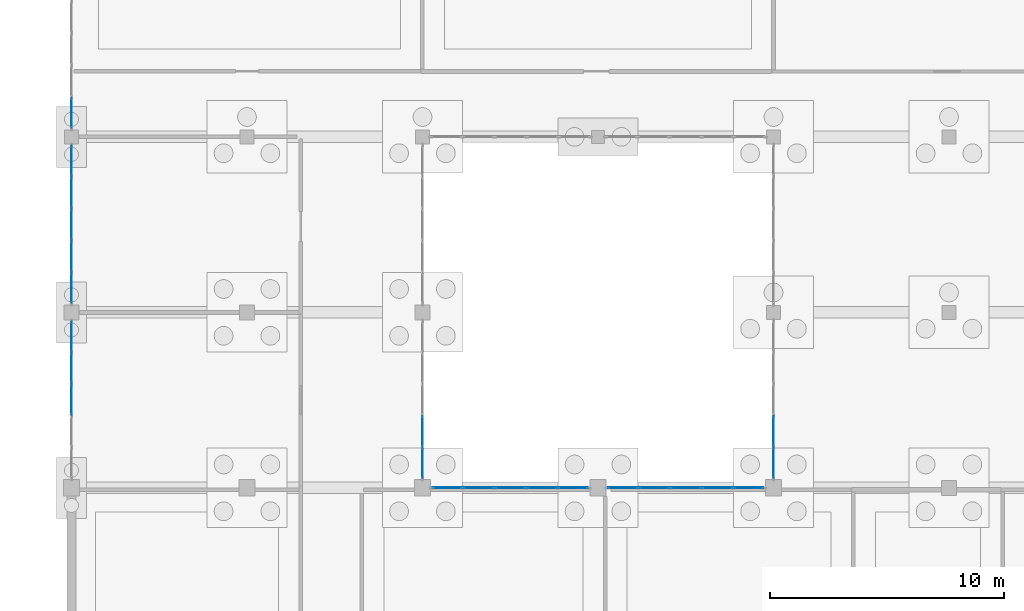
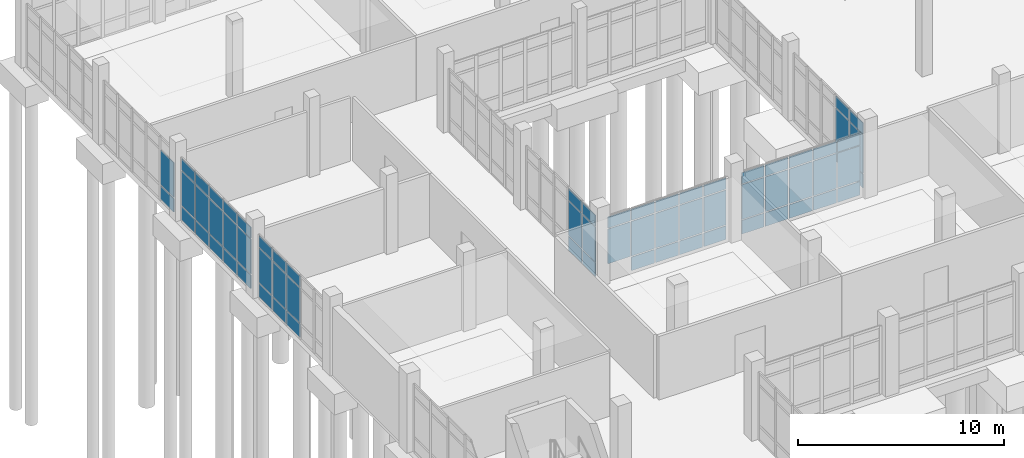
# One storey, part 127 of 173: 67 plates, 7 elements without a shape of their own.
"""IFC4 building model written with IfcOpenShell, lengths in metres."""

from ifc_helpers import new_model, si_unit, direction, frame, origin, origin_2d, place, context, subcontext, project, spatial, rectangle, extrude, material, layer, layer_set, type_object, element, aggregate, save


model = new_model("IFC4")

# Units and contexts
model_context = context("Model", 3, precision=1e-05, world=origin(), true_north=direction((0.0, 1.0)))
body_context = subcontext(model_context, "Body", "Model", "MODEL_VIEW")
ifc_project = project(units=[si_unit("LENGTHUNIT", "METRE"), si_unit("AREAUNIT", "SQUARE_METRE"), si_unit("VOLUMEUNIT", "CUBIC_METRE"), si_unit("PLANEANGLEUNIT", "RADIAN"), si_unit("MASSUNIT", "GRAM", prefix="KILO")], contexts=[model_context])

# Site, building, storey
site_placement = place(None, origin())
site = spatial("IfcSite", under=ifc_project, at=site_placement, CompositionType="ELEMENT")
building_placement = place(site_placement, origin())
building = spatial("IfcBuilding", under=site, at=building_placement, Name="Mawjan Specialist Oncology Clinic", CompositionType="ELEMENT")
storey_placement = place(building_placement, origin())
storey = spatial("IfcBuildingStorey", under=building, at=storey_placement, Name="L00", CompositionType="ELEMENT", Elevation=0.0)

# Curtain wall, plates
ifc_material_1 = material(Name="Unitised spectrally selective aluminium curtain wall", Category="aluminium")
ifc_layer_1 = layer(ifc_material_1, 0.179931640625, Name="Unitised spectrally selective aluminium curtain wall", Category="aluminium")
ifc_layer_set_1 = layer_set([ifc_layer_1], Name="Unitised spectrally selective aluminium curtain wall")
curtain_wall_type_1 = type_object("IfcCurtainWallType", Name="CW-03", PredefinedType="NOTDEFINED", material=ifc_layer_set_1)
curtain_wall_1_placement = place(storey_placement, origin())
curtain_wall_1 = element("IfcCurtainWall", 1, at=curtain_wall_1_placement, inside=storey, type_object=curtain_wall_type_1, Name="L00 Unitised Curtain Wall CW-L00-005", PredefinedType="NOTDEFINED")
ifc_material_2 = material(Name="Spectrally selective double low-E glazing", Category="glass")
ifc_layer_2 = layer(ifc_material_2, 0.035888671875, Name="Spectrally selective double low-E glazing", Category="glass")
ifc_layer_set_2 = layer_set([ifc_layer_2], Name="Spectrally selective double low-E glazing")
plate_type = type_object("IfcPlateType", Name="CW-P36", PredefinedType="CURTAIN_PANEL", material=ifc_layer_set_2)
plate_1_placement = place(storey_placement, frame((0.0, 49.5625, 0.06494140625), z_axis=(0.0, 0.0, 1.0), x_axis=(0.0, 1.0, 0.0)))
plate_1 = element("IfcPlate", 2, at=plate_1_placement, type_object=plate_type, Name="CW-03 panel 3.1", PredefinedType="CURTAIN_PANEL", context=body_context, shape_type="SweptSolid", body=[
    extrude(rectangle(XDim=1.2919921875, YDim=0.035888671875, at=origin_2d()), origin(), (0.0, 0.0, 1.0), 0.802490234375),
])
plate_2_placement = place(storey_placement, frame((0.0, 49.5625, 0.9326171875), z_axis=(0.0, 0.0, 1.0), x_axis=(0.0, 1.0, 0.0)))
plate_2 = element("IfcPlate", 3, at=plate_2_placement, type_object=plate_type, Name="CW-03 panel 3.2", PredefinedType="CURTAIN_PANEL", context=body_context, shape_type="SweptSolid", body=[
    extrude(rectangle(XDim=1.2919921875, YDim=0.035888671875, at=origin_2d()), origin(), (0.0, 0.0, 1.0), 2.050048828125),
])
plate_3_placement = place(storey_placement, frame((0.0, 49.5625, 3.04736328125), z_axis=(0.0, 0.0, 1.0), x_axis=(0.0, 1.0, 0.0)))
plate_3 = element("IfcPlate", 4, at=plate_3_placement, type_object=plate_type, Name="CW-03 panel 3.3", PredefinedType="CURTAIN_PANEL", context=body_context, shape_type="SweptSolid", body=[
    extrude(rectangle(XDim=1.2919921875, YDim=0.035888671875, at=origin_2d()), origin(), (0.0, 0.0, 1.0), 0.652587890625),
])
plate_4_placement = place(storey_placement, frame((0.0, 50.91943359375, 0.06494140625), z_axis=(0.0, 0.0, 1.0), x_axis=(0.0, 1.0, 0.0)))
plate_4 = element("IfcPlate", 5, at=plate_4_placement, type_object=plate_type, Name="CW-03 panel 4.1", PredefinedType="CURTAIN_PANEL", context=body_context, shape_type="SweptSolid", body=[
    extrude(rectangle(XDim=1.2919921875, YDim=0.035888671875, at=origin_2d()), origin(), (0.0, 0.0, 1.0), 0.802490234375),
])
plate_5_placement = place(storey_placement, frame((0.0, 50.91943359375, 0.9326171875), z_axis=(0.0, 0.0, 1.0), x_axis=(0.0, 1.0, 0.0)))
plate_5 = element("IfcPlate", 6, at=plate_5_placement, type_object=plate_type, Name="CW-03 panel 4.2", PredefinedType="CURTAIN_PANEL", context=body_context, shape_type="SweptSolid", body=[
    extrude(rectangle(XDim=1.2919921875, YDim=0.035888671875, at=origin_2d()), origin(), (0.0, 0.0, 1.0), 2.050048828125),
])
plate_6_placement = place(storey_placement, frame((0.0, 50.91943359375, 3.04736328125), z_axis=(0.0, 0.0, 1.0), x_axis=(0.0, 1.0, 0.0)))
plate_6 = element("IfcPlate", 7, at=plate_6_placement, type_object=plate_type, Name="CW-03 panel 4.3", PredefinedType="CURTAIN_PANEL", context=body_context, shape_type="SweptSolid", body=[
    extrude(rectangle(XDim=1.2919921875, YDim=0.035888671875, at=origin_2d()), origin(), (0.0, 0.0, 1.0), 0.652587890625),
])
plate_7_placement = place(storey_placement, frame((0.0, 52.26025390625, 0.06494140625), z_axis=(0.0, 0.0, 1.0), x_axis=(0.0, 1.0, 0.0)))
plate_7 = element("IfcPlate", 8, at=plate_7_placement, type_object=plate_type, Name="CW-03 panel 5.1", PredefinedType="CURTAIN_PANEL", context=body_context, shape_type="SweptSolid", body=[
    extrude(rectangle(XDim=1.259521484375, YDim=0.035888671875, at=origin_2d()), origin(), (0.0, 0.0, 1.0), 0.802490234375),
])
plate_8_placement = place(storey_placement, frame((0.0, 52.26025390625, 0.9326171875), z_axis=(0.0, 0.0, 1.0), x_axis=(0.0, 1.0, 0.0)))
plate_8 = element("IfcPlate", 9, at=plate_8_placement, type_object=plate_type, Name="CW-03 panel 5.2", PredefinedType="CURTAIN_PANEL", context=body_context, shape_type="SweptSolid", body=[
    extrude(rectangle(XDim=1.259521484375, YDim=0.035888671875, at=origin_2d()), origin(), (0.0, 0.0, 1.0), 2.050048828125),
])
plate_9_placement = place(storey_placement, frame((0.0, 52.26025390625, 3.04736328125), z_axis=(0.0, 0.0, 1.0), x_axis=(0.0, 1.0, 0.0)))
plate_9 = element("IfcPlate", 10, at=plate_9_placement, type_object=plate_type, Name="CW-03 panel 5.3", PredefinedType="CURTAIN_PANEL", context=body_context, shape_type="SweptSolid", body=[
    extrude(rectangle(XDim=1.259521484375, YDim=0.035888671875, at=origin_2d()), origin(), (0.0, 0.0, 1.0), 0.652587890625),
])
aggregate(curtain_wall_1, [plate_1, plate_2, plate_3, plate_4, plate_5, plate_6, plate_7, plate_8, plate_9])

ifc_material_3 = material(Name="Unitised spectrally selective aluminium curtain wall", Category="aluminium")
ifc_layer_3 = layer(ifc_material_3, 0.179931640625, Name="Unitised spectrally selective aluminium curtain wall", Category="aluminium")
ifc_layer_set_3 = layer_set([ifc_layer_3], Name="Unitised spectrally selective aluminium curtain wall")
curtain_wall_type_2 = type_object("IfcCurtainWallType", Name="CW-04", PredefinedType="NOTDEFINED", material=ifc_layer_set_3)
curtain_wall_2_placement = place(storey_placement, origin())
curtain_wall_2 = element("IfcCurtainWall", 11, at=curtain_wall_2_placement, inside=storey, type_object=curtain_wall_type_2, Name="L00 Unitised Curtain Wall CW-L00-006", PredefinedType="NOTDEFINED")
plate_10_placement = place(storey_placement, frame((0.0, 54.3447265625, 0.06494140625), z_axis=(0.0, 0.0, 1.0), x_axis=(0.0, 1.0, 0.0)))
plate_10 = element("IfcPlate", 12, at=plate_10_placement, type_object=plate_type, Name="CW-04 panel 1.1", PredefinedType="CURTAIN_PANEL", context=body_context, shape_type="SweptSolid", body=[
    extrude(rectangle(XDim=1.26953125, YDim=0.035888671875, at=origin_2d()), origin(), (0.0, 0.0, 1.0), 0.802490234375),
])
plate_11_placement = place(storey_placement, frame((0.0, 54.3447265625, 0.9326171875), z_axis=(0.0, 0.0, 1.0), x_axis=(0.0, 1.0, 0.0)))
plate_11 = element("IfcPlate", 13, at=plate_11_placement, type_object=plate_type, Name="CW-04 panel 1.2", PredefinedType="CURTAIN_PANEL", context=body_context, shape_type="SweptSolid", body=[
    extrude(rectangle(XDim=1.26953125, YDim=0.035888671875, at=origin_2d()), origin(), (0.0, 0.0, 1.0), 2.050048828125),
])
plate_12_placement = place(storey_placement, frame((0.0, 54.3447265625, 3.04736328125), z_axis=(0.0, 0.0, 1.0), x_axis=(0.0, 1.0, 0.0)))
plate_12 = element("IfcPlate", 14, at=plate_12_placement, type_object=plate_type, Name="CW-04 panel 1.3", PredefinedType="CURTAIN_PANEL", context=body_context, shape_type="SweptSolid", body=[
    extrude(rectangle(XDim=1.26953125, YDim=0.035888671875, at=origin_2d()), origin(), (0.0, 0.0, 1.0), 0.652587890625),
])
plate_13_placement = place(storey_placement, frame((0.0, 55.695556640625, 0.06494140625), z_axis=(0.0, 0.0, 1.0), x_axis=(0.0, 1.0, 0.0)))
plate_13 = element("IfcPlate", 15, at=plate_13_placement, type_object=plate_type, Name="CW-04 panel 2.1", PredefinedType="CURTAIN_PANEL", context=body_context, shape_type="SweptSolid", body=[
    extrude(rectangle(XDim=1.302001953125, YDim=0.035888671875, at=origin_2d()), origin(), (0.0, 0.0, 1.0), 0.802490234375),
])
plate_14_placement = place(storey_placement, frame((0.0, 55.695556640625, 0.9326171875), z_axis=(0.0, 0.0, 1.0), x_axis=(0.0, 1.0, 0.0)))
plate_14 = element("IfcPlate", 16, at=plate_14_placement, type_object=plate_type, Name="CW-04 panel 2.2", PredefinedType="CURTAIN_PANEL", context=body_context, shape_type="SweptSolid", body=[
    extrude(rectangle(XDim=1.302001953125, YDim=0.035888671875, at=origin_2d()), origin(), (0.0, 0.0, 1.0), 2.050048828125),
])
plate_15_placement = place(storey_placement, frame((0.0, 55.695556640625, 3.04736328125), z_axis=(0.0, 0.0, 1.0), x_axis=(0.0, 1.0, 0.0)))
plate_15 = element("IfcPlate", 17, at=plate_15_placement, type_object=plate_type, Name="CW-04 panel 2.3", PredefinedType="CURTAIN_PANEL", context=body_context, shape_type="SweptSolid", body=[
    extrude(rectangle(XDim=1.302001953125, YDim=0.035888671875, at=origin_2d()), origin(), (0.0, 0.0, 1.0), 0.652587890625),
])
plate_16_placement = place(storey_placement, frame((0.0, 57.0625, 0.06494140625), z_axis=(0.0, 0.0, 1.0), x_axis=(0.0, 1.0, 0.0)))
plate_16 = element("IfcPlate", 18, at=plate_16_placement, type_object=plate_type, Name="CW-04 panel 3.1", PredefinedType="CURTAIN_PANEL", context=body_context, shape_type="SweptSolid", body=[
    extrude(rectangle(XDim=1.302001953125, YDim=0.035888671875, at=origin_2d()), origin(), (0.0, 0.0, 1.0), 0.802490234375),
])
plate_17_placement = place(storey_placement, frame((0.0, 57.0625, 0.9326171875), z_axis=(0.0, 0.0, 1.0), x_axis=(0.0, 1.0, 0.0)))
plate_17 = element("IfcPlate", 19, at=plate_17_placement, type_object=plate_type, Name="CW-04 panel 3.2", PredefinedType="CURTAIN_PANEL", context=body_context, shape_type="SweptSolid", body=[
    extrude(rectangle(XDim=1.302001953125, YDim=0.035888671875, at=origin_2d()), origin(), (0.0, 0.0, 1.0), 2.050048828125),
])
plate_18_placement = place(storey_placement, frame((0.0, 57.0625, 3.04736328125), z_axis=(0.0, 0.0, 1.0), x_axis=(0.0, 1.0, 0.0)))
plate_18 = element("IfcPlate", 20, at=plate_18_placement, type_object=plate_type, Name="CW-04 panel 3.3", PredefinedType="CURTAIN_PANEL", context=body_context, shape_type="SweptSolid", body=[
    extrude(rectangle(XDim=1.302001953125, YDim=0.035888671875, at=origin_2d()), origin(), (0.0, 0.0, 1.0), 0.652587890625),
])
plate_19_placement = place(storey_placement, frame((0.0, 58.429443359375, 0.06494140625), z_axis=(0.0, 0.0, 1.0), x_axis=(0.0, 1.0, 0.0)))
plate_19 = element("IfcPlate", 21, at=plate_19_placement, type_object=plate_type, Name="CW-04 panel 4.1", PredefinedType="CURTAIN_PANEL", context=body_context, shape_type="SweptSolid", body=[
    extrude(rectangle(XDim=1.302001953125, YDim=0.035888671875, at=origin_2d()), origin(), (0.0, 0.0, 1.0), 0.802490234375),
])
plate_20_placement = place(storey_placement, frame((0.0, 58.429443359375, 0.9326171875), z_axis=(0.0, 0.0, 1.0), x_axis=(0.0, 1.0, 0.0)))
plate_20 = element("IfcPlate", 22, at=plate_20_placement, type_object=plate_type, Name="CW-04 panel 4.2", PredefinedType="CURTAIN_PANEL", context=body_context, shape_type="SweptSolid", body=[
    extrude(rectangle(XDim=1.302001953125, YDim=0.035888671875, at=origin_2d()), origin(), (0.0, 0.0, 1.0), 2.050048828125),
])
plate_21_placement = place(storey_placement, frame((0.0, 58.429443359375, 3.04736328125), z_axis=(0.0, 0.0, 1.0), x_axis=(0.0, 1.0, 0.0)))
plate_21 = element("IfcPlate", 23, at=plate_21_placement, type_object=plate_type, Name="CW-04 panel 4.3", PredefinedType="CURTAIN_PANEL", context=body_context, shape_type="SweptSolid", body=[
    extrude(rectangle(XDim=1.302001953125, YDim=0.035888671875, at=origin_2d()), origin(), (0.0, 0.0, 1.0), 0.652587890625),
])
plate_22_placement = place(storey_placement, frame((0.0, 59.7802734375, 0.06494140625), z_axis=(0.0, 0.0, 1.0), x_axis=(0.0, 1.0, 0.0)))
plate_22 = element("IfcPlate", 24, at=plate_22_placement, type_object=plate_type, Name="CW-04 panel 5.1", PredefinedType="CURTAIN_PANEL", context=body_context, shape_type="SweptSolid", body=[
    extrude(rectangle(XDim=1.26953125, YDim=0.035888671875, at=origin_2d()), origin(), (0.0, 0.0, 1.0), 0.802490234375),
])
plate_23_placement = place(storey_placement, frame((0.0, 59.7802734375, 0.9326171875), z_axis=(0.0, 0.0, 1.0), x_axis=(0.0, 1.0, 0.0)))
plate_23 = element("IfcPlate", 25, at=plate_23_placement, type_object=plate_type, Name="CW-04 panel 5.2", PredefinedType="CURTAIN_PANEL", context=body_context, shape_type="SweptSolid", body=[
    extrude(rectangle(XDim=1.26953125, YDim=0.035888671875, at=origin_2d()), origin(), (0.0, 0.0, 1.0), 2.050048828125),
])
plate_24_placement = place(storey_placement, frame((0.0, 59.7802734375, 3.04736328125), z_axis=(0.0, 0.0, 1.0), x_axis=(0.0, 1.0, 0.0)))
plate_24 = element("IfcPlate", 26, at=plate_24_placement, type_object=plate_type, Name="CW-04 panel 5.3", PredefinedType="CURTAIN_PANEL", context=body_context, shape_type="SweptSolid", body=[
    extrude(rectangle(XDim=1.26953125, YDim=0.035888671875, at=origin_2d()), origin(), (0.0, 0.0, 1.0), 0.652587890625),
])
aggregate(curtain_wall_2, [plate_10, plate_11, plate_12, plate_13, plate_14, plate_15, plate_16, plate_17, plate_18, plate_19, plate_20, plate_21, plate_22, plate_23, plate_24])

ifc_material_4 = material(Name="Unitised spectrally selective aluminium curtain wall", Category="aluminium")
ifc_layer_4 = layer(ifc_material_4, 0.179931640625, Name="Unitised spectrally selective aluminium curtain wall", Category="aluminium")
ifc_layer_set_4 = layer_set([ifc_layer_4], Name="Unitised spectrally selective aluminium curtain wall")
curtain_wall_type_3 = type_object("IfcCurtainWallType", Name="CW-05", PredefinedType="NOTDEFINED", material=ifc_layer_set_4)
curtain_wall_3_placement = place(storey_placement, origin())
curtain_wall_3 = element("IfcCurtainWall", 27, at=curtain_wall_3_placement, inside=storey, type_object=curtain_wall_type_3, Name="L00 Unitised Curtain Wall CW-L00-007", PredefinedType="NOTDEFINED")
plate_25_placement = place(storey_placement, frame((0.0, 61.822265625, 0.06494140625), z_axis=(0.0, 0.0, 1.0), x_axis=(0.0, 1.0, 0.0)))
plate_25 = element("IfcPlate", 28, at=plate_25_placement, type_object=plate_type, Name="CW-05 panel 1.1", PredefinedType="CURTAIN_PANEL", context=body_context, shape_type="SweptSolid", body=[
    extrude(rectangle(XDim=1.2744140625, YDim=0.035888671875, at=origin_2d()), origin(), (0.0, 0.0, 1.0), 0.802490234375),
])
plate_26_placement = place(storey_placement, frame((0.0, 61.822265625, 0.9326171875), z_axis=(0.0, 0.0, 1.0), x_axis=(0.0, 1.0, 0.0)))
plate_26 = element("IfcPlate", 29, at=plate_26_placement, type_object=plate_type, Name="CW-05 panel 1.2", PredefinedType="CURTAIN_PANEL", context=body_context, shape_type="SweptSolid", body=[
    extrude(rectangle(XDim=1.2744140625, YDim=0.035888671875, at=origin_2d()), origin(), (0.0, 0.0, 1.0), 2.050048828125),
])
aggregate(curtain_wall_3, [plate_25, plate_26])

ifc_material_5 = material(Name="Unitised spectrally selective aluminium curtain wall", Category="aluminium")
ifc_layer_5 = layer(ifc_material_5, 0.179931640625, Name="Unitised spectrally selective aluminium curtain wall", Category="aluminium")
ifc_layer_set_5 = layer_set([ifc_layer_5], Name="Unitised spectrally selective aluminium curtain wall")
curtain_wall_type_4 = type_object("IfcCurtainWallType", Name="CW-29", PredefinedType="NOTDEFINED", material=ifc_layer_set_5)
curtain_wall_4_placement = place(storey_placement, origin())
curtain_wall_4 = element("IfcCurtainWall", 30, at=curtain_wall_4_placement, inside=storey, type_object=curtain_wall_type_4, Name="L00 Unitised Curtain Wall CW-L00-056", PredefinedType="NOTDEFINED")
plate_27_placement = place(storey_placement, frame((16.062255859375, 45.800048828125, 0.9326171875), z_axis=(0.0, 0.0, 1.0), x_axis=(1.0, 0.0, 0.0)))
plate_27 = element("IfcPlate", 31, at=plate_27_placement, type_object=plate_type, Name="CW-29 panel 1.2", PredefinedType="CURTAIN_PANEL", context=body_context, shape_type="SweptSolid", body=[
    extrude(rectangle(XDim=1.25439453125, YDim=0.035888671875, at=origin_2d()), origin(), (0.0, 0.0, 1.0), 2.050048828125),
])
plate_28_placement = place(storey_placement, frame((16.062255859375, 45.800048828125, 3.04736328125), z_axis=(0.0, 0.0, 1.0), x_axis=(1.0, 0.0, 0.0)))
plate_28 = element("IfcPlate", 32, at=plate_28_placement, type_object=plate_type, Name="CW-29 panel 1.3", PredefinedType="CURTAIN_PANEL", context=body_context, shape_type="SweptSolid", body=[
    extrude(rectangle(XDim=1.25439453125, YDim=0.035888671875, at=origin_2d()), origin(), (0.0, 0.0, 1.0), 0.652587890625),
])
plate_29_placement = place(storey_placement, frame((17.39794921875, 45.800048828125, 0.06494140625), z_axis=(0.0, 0.0, 1.0), x_axis=(1.0, 0.0, 0.0)))
plate_29 = element("IfcPlate", 33, at=plate_29_placement, type_object=plate_type, Name="CW-29 panel 2.1", PredefinedType="CURTAIN_PANEL", context=body_context, shape_type="SweptSolid", body=[
    extrude(rectangle(XDim=1.287109375, YDim=0.035888671875, at=origin_2d()), origin(), (0.0, 0.0, 1.0), 0.802490234375),
])
plate_30_placement = place(storey_placement, frame((17.39794921875, 45.800048828125, 0.9326171875), z_axis=(0.0, 0.0, 1.0), x_axis=(1.0, 0.0, 0.0)))
plate_30 = element("IfcPlate", 34, at=plate_30_placement, type_object=plate_type, Name="CW-29 panel 2.2", PredefinedType="CURTAIN_PANEL", context=body_context, shape_type="SweptSolid", body=[
    extrude(rectangle(XDim=1.287109375, YDim=0.035888671875, at=origin_2d()), origin(), (0.0, 0.0, 1.0), 2.050048828125),
])
plate_31_placement = place(storey_placement, frame((17.39794921875, 45.800048828125, 3.04736328125), z_axis=(0.0, 0.0, 1.0), x_axis=(1.0, 0.0, 0.0)))
plate_31 = element("IfcPlate", 35, at=plate_31_placement, type_object=plate_type, Name="CW-29 panel 2.3", PredefinedType="CURTAIN_PANEL", context=body_context, shape_type="SweptSolid", body=[
    extrude(rectangle(XDim=1.287109375, YDim=0.035888671875, at=origin_2d()), origin(), (0.0, 0.0, 1.0), 0.652587890625),
])
plate_32_placement = place(storey_placement, frame((18.75, 45.800048828125, 0.06494140625), z_axis=(0.0, 0.0, 1.0), x_axis=(1.0, 0.0, 0.0)))
plate_32 = element("IfcPlate", 36, at=plate_32_placement, type_object=plate_type, Name="CW-29 panel 3.1", PredefinedType="CURTAIN_PANEL", context=body_context, shape_type="SweptSolid", body=[
    extrude(rectangle(XDim=1.287109375, YDim=0.035888671875, at=origin_2d()), origin(), (0.0, 0.0, 1.0), 0.802490234375),
])
plate_33_placement = place(storey_placement, frame((18.75, 45.800048828125, 0.9326171875), z_axis=(0.0, 0.0, 1.0), x_axis=(1.0, 0.0, 0.0)))
plate_33 = element("IfcPlate", 37, at=plate_33_placement, type_object=plate_type, Name="CW-29 panel 3.2", PredefinedType="CURTAIN_PANEL", context=body_context, shape_type="SweptSolid", body=[
    extrude(rectangle(XDim=1.287109375, YDim=0.035888671875, at=origin_2d()), origin(), (0.0, 0.0, 1.0), 2.050048828125),
])
plate_34_placement = place(storey_placement, frame((18.75, 45.800048828125, 3.04736328125), z_axis=(0.0, 0.0, 1.0), x_axis=(1.0, 0.0, 0.0)))
plate_34 = element("IfcPlate", 38, at=plate_34_placement, type_object=plate_type, Name="CW-29 panel 3.3", PredefinedType="CURTAIN_PANEL", context=body_context, shape_type="SweptSolid", body=[
    extrude(rectangle(XDim=1.287109375, YDim=0.035888671875, at=origin_2d()), origin(), (0.0, 0.0, 1.0), 0.652587890625),
])
plate_35_placement = place(storey_placement, frame((20.10205078125, 45.800048828125, 0.06494140625), z_axis=(0.0, 0.0, 1.0), x_axis=(1.0, 0.0, 0.0)))
plate_35 = element("IfcPlate", 39, at=plate_35_placement, type_object=plate_type, Name="CW-29 panel 4.1", PredefinedType="CURTAIN_PANEL", context=body_context, shape_type="SweptSolid", body=[
    extrude(rectangle(XDim=1.287109375, YDim=0.035888671875, at=origin_2d()), origin(), (0.0, 0.0, 1.0), 0.802490234375),
])
plate_36_placement = place(storey_placement, frame((20.10205078125, 45.800048828125, 0.9326171875), z_axis=(0.0, 0.0, 1.0), x_axis=(1.0, 0.0, 0.0)))
plate_36 = element("IfcPlate", 40, at=plate_36_placement, type_object=plate_type, Name="CW-29 panel 4.2", PredefinedType="CURTAIN_PANEL", context=body_context, shape_type="SweptSolid", body=[
    extrude(rectangle(XDim=1.287109375, YDim=0.035888671875, at=origin_2d()), origin(), (0.0, 0.0, 1.0), 2.050048828125),
])
plate_37_placement = place(storey_placement, frame((20.10205078125, 45.800048828125, 3.04736328125), z_axis=(0.0, 0.0, 1.0), x_axis=(1.0, 0.0, 0.0)))
plate_37 = element("IfcPlate", 41, at=plate_37_placement, type_object=plate_type, Name="CW-29 panel 4.3", PredefinedType="CURTAIN_PANEL", context=body_context, shape_type="SweptSolid", body=[
    extrude(rectangle(XDim=1.287109375, YDim=0.035888671875, at=origin_2d()), origin(), (0.0, 0.0, 1.0), 0.652587890625),
])
plate_38_placement = place(storey_placement, frame((21.437744140625, 45.800048828125, 0.06494140625), z_axis=(0.0, 0.0, 1.0), x_axis=(1.0, 0.0, 0.0)))
plate_38 = element("IfcPlate", 42, at=plate_38_placement, type_object=plate_type, Name="CW-29 panel 5.1", PredefinedType="CURTAIN_PANEL", context=body_context, shape_type="SweptSolid", body=[
    extrude(rectangle(XDim=1.25439453125, YDim=0.035888671875, at=origin_2d()), origin(), (0.0, 0.0, 1.0), 0.802490234375),
])
plate_39_placement = place(storey_placement, frame((21.437744140625, 45.800048828125, 0.9326171875), z_axis=(0.0, 0.0, 1.0), x_axis=(1.0, 0.0, 0.0)))
plate_39 = element("IfcPlate", 43, at=plate_39_placement, type_object=plate_type, Name="CW-29 panel 5.2", PredefinedType="CURTAIN_PANEL", context=body_context, shape_type="SweptSolid", body=[
    extrude(rectangle(XDim=1.25439453125, YDim=0.035888671875, at=origin_2d()), origin(), (0.0, 0.0, 1.0), 2.050048828125),
])
plate_40_placement = place(storey_placement, frame((21.437744140625, 45.800048828125, 3.04736328125), z_axis=(0.0, 0.0, 1.0), x_axis=(1.0, 0.0, 0.0)))
plate_40 = element("IfcPlate", 44, at=plate_40_placement, type_object=plate_type, Name="CW-29 panel 5.3", PredefinedType="CURTAIN_PANEL", context=body_context, shape_type="SweptSolid", body=[
    extrude(rectangle(XDim=1.25439453125, YDim=0.035888671875, at=origin_2d()), origin(), (0.0, 0.0, 1.0), 0.652587890625),
])
aggregate(curtain_wall_4, [plate_27, plate_28, plate_29, plate_30, plate_31, plate_32, plate_33, plate_34, plate_35, plate_36, plate_37, plate_38, plate_39, plate_40])

curtain_wall_5_placement = place(storey_placement, origin())
curtain_wall_5 = element("IfcCurtainWall", 45, at=curtain_wall_5_placement, inside=storey, type_object=curtain_wall_type_4, Name="L00 Unitised Curtain Wall CW-L00-057", PredefinedType="NOTDEFINED")
plate_41_placement = place(storey_placement, frame((23.562255859375, 45.800048828125, 0.06494140625), z_axis=(0.0, 0.0, 1.0), x_axis=(1.0, 0.0, 0.0)))
plate_41 = element("IfcPlate", 46, at=plate_41_placement, type_object=plate_type, Name="CW-29 panel 1.1", PredefinedType="CURTAIN_PANEL", context=body_context, shape_type="SweptSolid", body=[
    extrude(rectangle(XDim=1.25439453125, YDim=0.035888671875, at=origin_2d()), origin(), (0.0, 0.0, 1.0), 0.802490234375),
])
plate_42_placement = place(storey_placement, frame((23.562255859375, 45.800048828125, 0.9326171875), z_axis=(0.0, 0.0, 1.0), x_axis=(1.0, 0.0, 0.0)))
plate_42 = element("IfcPlate", 47, at=plate_42_placement, type_object=plate_type, Name="CW-29 panel 1.2", PredefinedType="CURTAIN_PANEL", context=body_context, shape_type="SweptSolid", body=[
    extrude(rectangle(XDim=1.25439453125, YDim=0.035888671875, at=origin_2d()), origin(), (0.0, 0.0, 1.0), 2.050048828125),
])
plate_43_placement = place(storey_placement, frame((23.562255859375, 45.800048828125, 3.04736328125), z_axis=(0.0, 0.0, 1.0), x_axis=(1.0, 0.0, 0.0)))
plate_43 = element("IfcPlate", 48, at=plate_43_placement, type_object=plate_type, Name="CW-29 panel 1.3", PredefinedType="CURTAIN_PANEL", context=body_context, shape_type="SweptSolid", body=[
    extrude(rectangle(XDim=1.25439453125, YDim=0.035888671875, at=origin_2d()), origin(), (0.0, 0.0, 1.0), 0.652587890625),
])
plate_44_placement = place(storey_placement, frame((24.89794921875, 45.800048828125, 0.06494140625), z_axis=(0.0, 0.0, 1.0), x_axis=(1.0, 0.0, 0.0)))
plate_44 = element("IfcPlate", 49, at=plate_44_placement, type_object=plate_type, Name="CW-29 panel 2.1", PredefinedType="CURTAIN_PANEL", context=body_context, shape_type="SweptSolid", body=[
    extrude(rectangle(XDim=1.287109375, YDim=0.035888671875, at=origin_2d()), origin(), (0.0, 0.0, 1.0), 0.802490234375),
])
plate_45_placement = place(storey_placement, frame((24.89794921875, 45.800048828125, 0.9326171875), z_axis=(0.0, 0.0, 1.0), x_axis=(1.0, 0.0, 0.0)))
plate_45 = element("IfcPlate", 50, at=plate_45_placement, type_object=plate_type, Name="CW-29 panel 2.2", PredefinedType="CURTAIN_PANEL", context=body_context, shape_type="SweptSolid", body=[
    extrude(rectangle(XDim=1.287109375, YDim=0.035888671875, at=origin_2d()), origin(), (0.0, 0.0, 1.0), 2.050048828125),
])
plate_46_placement = place(storey_placement, frame((24.89794921875, 45.800048828125, 3.04736328125), z_axis=(0.0, 0.0, 1.0), x_axis=(1.0, 0.0, 0.0)))
plate_46 = element("IfcPlate", 51, at=plate_46_placement, type_object=plate_type, Name="CW-29 panel 2.3", PredefinedType="CURTAIN_PANEL", context=body_context, shape_type="SweptSolid", body=[
    extrude(rectangle(XDim=1.287109375, YDim=0.035888671875, at=origin_2d()), origin(), (0.0, 0.0, 1.0), 0.652587890625),
])
plate_47_placement = place(storey_placement, frame((26.25, 45.800048828125, 0.06494140625), z_axis=(0.0, 0.0, 1.0), x_axis=(1.0, 0.0, 0.0)))
plate_47 = element("IfcPlate", 52, at=plate_47_placement, type_object=plate_type, Name="CW-29 panel 3.1", PredefinedType="CURTAIN_PANEL", context=body_context, shape_type="SweptSolid", body=[
    extrude(rectangle(XDim=1.287109375, YDim=0.035888671875, at=origin_2d()), origin(), (0.0, 0.0, 1.0), 0.802490234375),
])
plate_48_placement = place(storey_placement, frame((26.25, 45.800048828125, 0.9326171875), z_axis=(0.0, 0.0, 1.0), x_axis=(1.0, 0.0, 0.0)))
plate_48 = element("IfcPlate", 53, at=plate_48_placement, type_object=plate_type, Name="CW-29 panel 3.2", PredefinedType="CURTAIN_PANEL", context=body_context, shape_type="SweptSolid", body=[
    extrude(rectangle(XDim=1.287109375, YDim=0.035888671875, at=origin_2d()), origin(), (0.0, 0.0, 1.0), 2.050048828125),
])
plate_49_placement = place(storey_placement, frame((26.25, 45.800048828125, 3.04736328125), z_axis=(0.0, 0.0, 1.0), x_axis=(1.0, 0.0, 0.0)))
plate_49 = element("IfcPlate", 54, at=plate_49_placement, type_object=plate_type, Name="CW-29 panel 3.3", PredefinedType="CURTAIN_PANEL", context=body_context, shape_type="SweptSolid", body=[
    extrude(rectangle(XDim=1.287109375, YDim=0.035888671875, at=origin_2d()), origin(), (0.0, 0.0, 1.0), 0.652587890625),
])
plate_50_placement = place(storey_placement, frame((27.60205078125, 45.800048828125, 0.06494140625), z_axis=(0.0, 0.0, 1.0), x_axis=(1.0, 0.0, 0.0)))
plate_50 = element("IfcPlate", 55, at=plate_50_placement, type_object=plate_type, Name="CW-29 panel 4.1", PredefinedType="CURTAIN_PANEL", context=body_context, shape_type="SweptSolid", body=[
    extrude(rectangle(XDim=1.287109375, YDim=0.035888671875, at=origin_2d()), origin(), (0.0, 0.0, 1.0), 0.802490234375),
])
plate_51_placement = place(storey_placement, frame((27.60205078125, 45.800048828125, 0.9326171875), z_axis=(0.0, 0.0, 1.0), x_axis=(1.0, 0.0, 0.0)))
plate_51 = element("IfcPlate", 56, at=plate_51_placement, type_object=plate_type, Name="CW-29 panel 4.2", PredefinedType="CURTAIN_PANEL", context=body_context, shape_type="SweptSolid", body=[
    extrude(rectangle(XDim=1.287109375, YDim=0.035888671875, at=origin_2d()), origin(), (0.0, 0.0, 1.0), 2.050048828125),
])
plate_52_placement = place(storey_placement, frame((27.60205078125, 45.800048828125, 3.04736328125), z_axis=(0.0, 0.0, 1.0), x_axis=(1.0, 0.0, 0.0)))
plate_52 = element("IfcPlate", 57, at=plate_52_placement, type_object=plate_type, Name="CW-29 panel 4.3", PredefinedType="CURTAIN_PANEL", context=body_context, shape_type="SweptSolid", body=[
    extrude(rectangle(XDim=1.287109375, YDim=0.035888671875, at=origin_2d()), origin(), (0.0, 0.0, 1.0), 0.652587890625),
])
plate_53_placement = place(storey_placement, frame((28.937744140625, 45.800048828125, 0.06494140625), z_axis=(0.0, 0.0, 1.0), x_axis=(1.0, 0.0, 0.0)))
plate_53 = element("IfcPlate", 58, at=plate_53_placement, type_object=plate_type, Name="CW-29 panel 5.1", PredefinedType="CURTAIN_PANEL", context=body_context, shape_type="SweptSolid", body=[
    extrude(rectangle(XDim=1.25439453125, YDim=0.035888671875, at=origin_2d()), origin(), (0.0, 0.0, 1.0), 0.802490234375),
])
plate_54_placement = place(storey_placement, frame((28.937744140625, 45.800048828125, 0.9326171875), z_axis=(0.0, 0.0, 1.0), x_axis=(1.0, 0.0, 0.0)))
plate_54 = element("IfcPlate", 59, at=plate_54_placement, type_object=plate_type, Name="CW-29 panel 5.2", PredefinedType="CURTAIN_PANEL", context=body_context, shape_type="SweptSolid", body=[
    extrude(rectangle(XDim=1.25439453125, YDim=0.035888671875, at=origin_2d()), origin(), (0.0, 0.0, 1.0), 2.050048828125),
])
plate_55_placement = place(storey_placement, frame((28.937744140625, 45.800048828125, 3.04736328125), z_axis=(0.0, 0.0, 1.0), x_axis=(1.0, 0.0, 0.0)))
plate_55 = element("IfcPlate", 60, at=plate_55_placement, type_object=plate_type, Name="CW-29 panel 5.3", PredefinedType="CURTAIN_PANEL", context=body_context, shape_type="SweptSolid", body=[
    extrude(rectangle(XDim=1.25439453125, YDim=0.035888671875, at=origin_2d()), origin(), (0.0, 0.0, 1.0), 0.652587890625),
])
aggregate(curtain_wall_5, [plate_41, plate_42, plate_43, plate_44, plate_45, plate_46, plate_47, plate_48, plate_49, plate_50, plate_51, plate_52, plate_53, plate_54, plate_55])

ifc_material_6 = material(Name="Unitised spectrally selective aluminium curtain wall", Category="aluminium")
ifc_layer_6 = layer(ifc_material_6, 0.179931640625, Name="Unitised spectrally selective aluminium curtain wall", Category="aluminium")
ifc_layer_set_6 = layer_set([ifc_layer_6], Name="Unitised spectrally selective aluminium curtain wall")
curtain_wall_type_5 = type_object("IfcCurtainWallType", Name="CW-01", PredefinedType="NOTDEFINED", material=ifc_layer_set_6)
curtain_wall_6_placement = place(storey_placement, origin())
curtain_wall_6 = element("IfcCurtainWall", 61, at=curtain_wall_6_placement, inside=storey, type_object=curtain_wall_type_5, Name="L00 Unitised Curtain Wall CW-L00-058", PredefinedType="NOTDEFINED")
plate_56_placement = place(storey_placement, frame((30.0, 46.8671875, 0.06494140625), z_axis=(0.0, 0.0, 1.0), x_axis=(0.0, 1.0, 0.0)))
plate_56 = element("IfcPlate", 62, at=plate_56_placement, type_object=plate_type, Name="CW-01 panel 1.1", PredefinedType="CURTAIN_PANEL", context=body_context, shape_type="SweptSolid", body=[
    extrude(rectangle(XDim=1.264404296875, YDim=0.035888671875, at=origin_2d()), origin(), (0.0, 0.0, 1.0), 0.802490234375),
])
plate_57_placement = place(storey_placement, frame((30.0, 46.8671875, 0.932373046875), z_axis=(0.0, 0.0, 1.0), x_axis=(0.0, 1.0, 0.0)))
plate_57 = element("IfcPlate", 63, at=plate_57_placement, type_object=plate_type, Name="CW-01 panel 1.2", PredefinedType="CURTAIN_PANEL", context=body_context, shape_type="SweptSolid", body=[
    extrude(rectangle(XDim=1.264404296875, YDim=0.035888671875, at=origin_2d()), origin(), (0.0, 0.0, 1.0), 2.27001953125),
])
plate_58_placement = place(storey_placement, frame((30.0, 46.8671875, 3.267578125), z_axis=(0.0, 0.0, 1.0), x_axis=(0.0, 1.0, 0.0)))
plate_58 = element("IfcPlate", 64, at=plate_58_placement, type_object=plate_type, Name="CW-01 panel 1.3", PredefinedType="CURTAIN_PANEL", context=body_context, shape_type="SweptSolid", body=[
    extrude(rectangle(XDim=1.264404296875, YDim=0.035888671875, at=origin_2d()), origin(), (0.0, 0.0, 1.0), 0.652587890625),
])
plate_59_placement = place(storey_placement, frame((30.0, 48.212890625, 0.06494140625), z_axis=(0.0, 0.0, 1.0), x_axis=(0.0, 1.0, 0.0)))
plate_59 = element("IfcPlate", 65, at=plate_59_placement, type_object=plate_type, Name="CW-01 panel 2.1", PredefinedType="CURTAIN_PANEL", context=body_context, shape_type="SweptSolid", body=[
    extrude(rectangle(XDim=1.297119140625, YDim=0.035888671875, at=origin_2d()), origin(), (0.0, 0.0, 1.0), 0.802490234375),
])
plate_60_placement = place(storey_placement, frame((30.0, 48.212890625, 0.932373046875), z_axis=(0.0, 0.0, 1.0), x_axis=(0.0, 1.0, 0.0)))
plate_60 = element("IfcPlate", 66, at=plate_60_placement, type_object=plate_type, Name="CW-01 panel 2.2", PredefinedType="CURTAIN_PANEL", context=body_context, shape_type="SweptSolid", body=[
    extrude(rectangle(XDim=1.297119140625, YDim=0.035888671875, at=origin_2d()), origin(), (0.0, 0.0, 1.0), 2.27001953125),
])
plate_61_placement = place(storey_placement, frame((30.0, 48.212890625, 3.267578125), z_axis=(0.0, 0.0, 1.0), x_axis=(0.0, 1.0, 0.0)))
plate_61 = element("IfcPlate", 67, at=plate_61_placement, type_object=plate_type, Name="CW-01 panel 2.3", PredefinedType="CURTAIN_PANEL", context=body_context, shape_type="SweptSolid", body=[
    extrude(rectangle(XDim=1.297119140625, YDim=0.035888671875, at=origin_2d()), origin(), (0.0, 0.0, 1.0), 0.652587890625),
])
aggregate(curtain_wall_6, [plate_56, plate_57, plate_58, plate_59, plate_60, plate_61])

curtain_wall_7_placement = place(storey_placement, origin())
curtain_wall_7 = element("IfcCurtainWall", 68, at=curtain_wall_7_placement, inside=storey, type_object=curtain_wall_type_1, Name="L00 Unitised Curtain Wall CW-L00-063", PredefinedType="NOTDEFINED")
plate_62_placement = place(storey_placement, frame((15.0, 48.20556640625, 0.06494140625), z_axis=(0.0, 0.0, 1.0), x_axis=(0.0, -1.0, 0.0)))
plate_62 = element("IfcPlate", 69, at=plate_62_placement, type_object=plate_type, Name="CW-03 panel 4.1", PredefinedType="CURTAIN_PANEL", context=body_context, shape_type="SweptSolid", body=[
    extrude(rectangle(XDim=1.2919921875, YDim=0.035888671875, at=origin_2d()), origin(), (0.0, 0.0, 1.0), 0.802490234375),
])
plate_63_placement = place(storey_placement, frame((15.0, 48.20556640625, 0.9326171875), z_axis=(0.0, 0.0, 1.0), x_axis=(0.0, -1.0, 0.0)))
plate_63 = element("IfcPlate", 70, at=plate_63_placement, type_object=plate_type, Name="CW-03 panel 4.2", PredefinedType="CURTAIN_PANEL", context=body_context, shape_type="SweptSolid", body=[
    extrude(rectangle(XDim=1.2919921875, YDim=0.035888671875, at=origin_2d()), origin(), (0.0, 0.0, 1.0), 2.050048828125),
])
plate_64_placement = place(storey_placement, frame((15.0, 48.20556640625, 3.04736328125), z_axis=(0.0, 0.0, 1.0), x_axis=(0.0, -1.0, 0.0)))
plate_64 = element("IfcPlate", 71, at=plate_64_placement, type_object=plate_type, Name="CW-03 panel 4.3", PredefinedType="CURTAIN_PANEL", context=body_context, shape_type="SweptSolid", body=[
    extrude(rectangle(XDim=1.2919921875, YDim=0.035888671875, at=origin_2d()), origin(), (0.0, 0.0, 1.0), 0.652587890625),
])
plate_65_placement = place(storey_placement, frame((15.0, 46.86474609375, 0.06494140625), z_axis=(0.0, 0.0, 1.0), x_axis=(0.0, -1.0, 0.0)))
plate_65 = element("IfcPlate", 72, at=plate_65_placement, type_object=plate_type, Name="CW-03 panel 5.1", PredefinedType="CURTAIN_PANEL", context=body_context, shape_type="SweptSolid", body=[
    extrude(rectangle(XDim=1.259521484375, YDim=0.035888671875, at=origin_2d()), origin(), (0.0, 0.0, 1.0), 0.802490234375),
])
plate_66_placement = place(storey_placement, frame((15.0, 46.86474609375, 0.9326171875), z_axis=(0.0, 0.0, 1.0), x_axis=(0.0, -1.0, 0.0)))
plate_66 = element("IfcPlate", 73, at=plate_66_placement, type_object=plate_type, Name="CW-03 panel 5.2", PredefinedType="CURTAIN_PANEL", context=body_context, shape_type="SweptSolid", body=[
    extrude(rectangle(XDim=1.259521484375, YDim=0.035888671875, at=origin_2d()), origin(), (0.0, 0.0, 1.0), 2.050048828125),
])
plate_67_placement = place(storey_placement, frame((15.0, 46.86474609375, 3.04736328125), z_axis=(0.0, 0.0, 1.0), x_axis=(0.0, -1.0, 0.0)))
plate_67 = element("IfcPlate", 74, at=plate_67_placement, type_object=plate_type, Name="CW-03 panel 5.3", PredefinedType="CURTAIN_PANEL", context=body_context, shape_type="SweptSolid", body=[
    extrude(rectangle(XDim=1.259521484375, YDim=0.035888671875, at=origin_2d()), origin(), (0.0, 0.0, 1.0), 0.652587890625),
])
aggregate(curtain_wall_7, [plate_62, plate_63, plate_64, plate_65, plate_66, plate_67])

save(model, "model.ifc")
